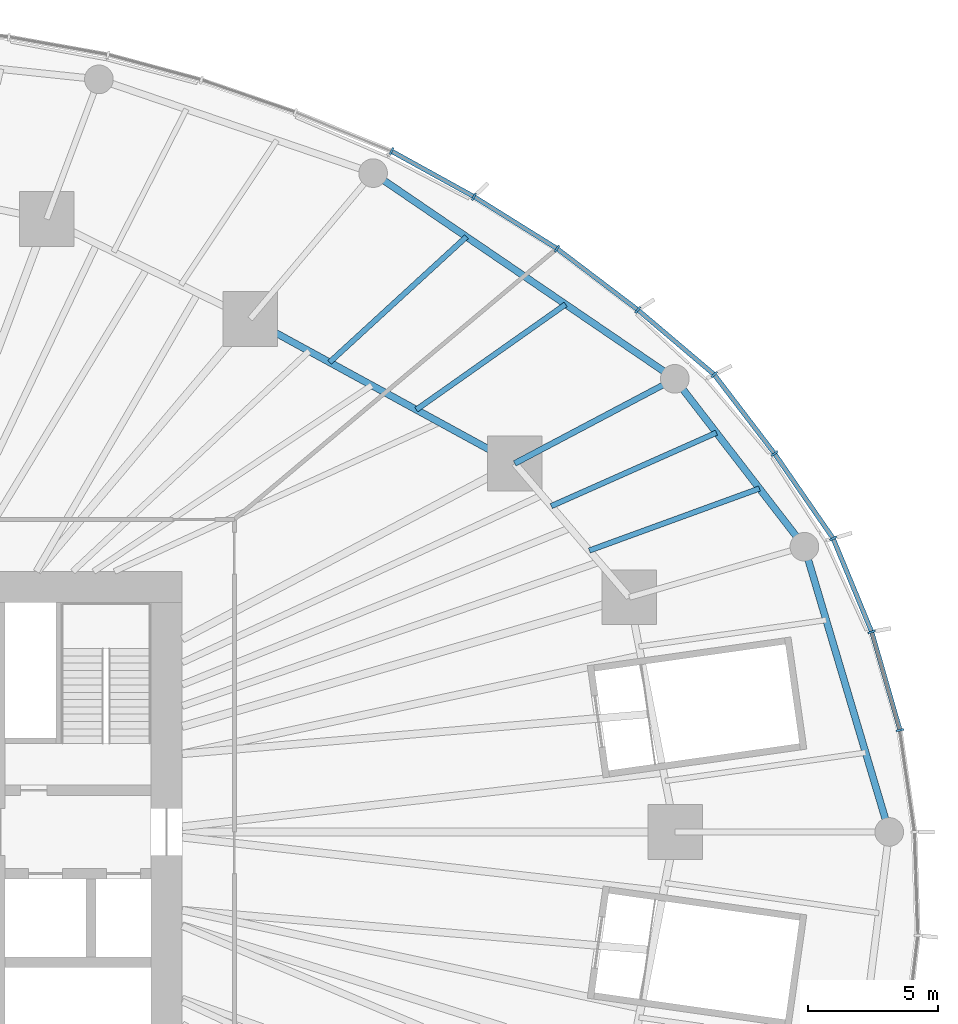
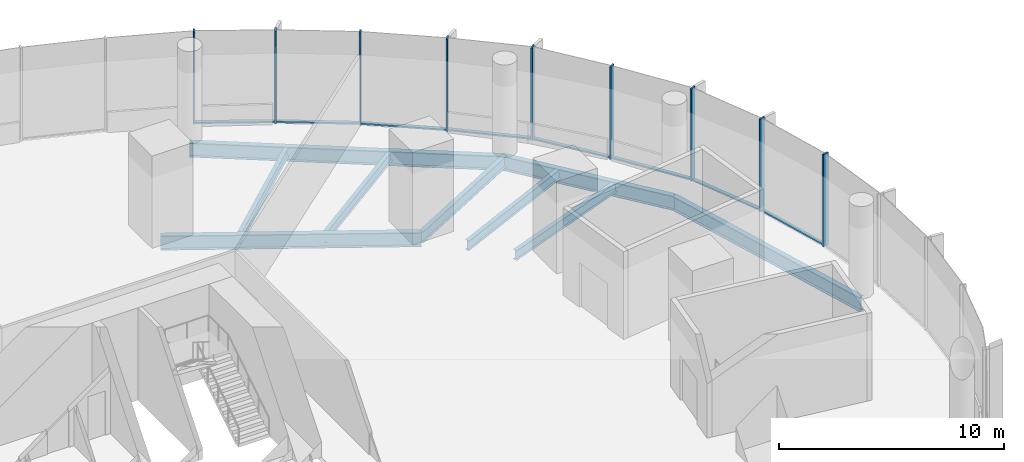
# One storey, part 9 of 27: 17 members, 9 beams, 4 elements without a shape of their own.
"""IFC4 building model written with IfcOpenShell, lengths in metres."""

from ifc_helpers import new_model, si_unit, direction, frame, origin, origin_2d, place, context, subcontext, project, spatial, rectangle, i_section, extrude, material, material_profile, profile_set, type_object, element, aggregate, save


model = new_model("IFC4")

# Units and contexts
model_context = context("Model", 3, precision=1e-05, world=origin(), true_north=direction((0.0, 1.0)))
body_context = subcontext(model_context, "Body", "Model", "MODEL_VIEW")
ifc_project = project(units=[si_unit("LENGTHUNIT", "METRE"), si_unit("AREAUNIT", "SQUARE_METRE"), si_unit("VOLUMEUNIT", "CUBIC_METRE"), si_unit("PLANEANGLEUNIT", "RADIAN"), si_unit("MASSUNIT", "GRAM", prefix="KILO")], contexts=[model_context])

# Site, building, storey
site_placement = place(None, origin())
site = spatial("IfcSite", under=ifc_project, at=site_placement, CompositionType="ELEMENT")
building_placement = place(site_placement, origin())
building = spatial("IfcBuilding", under=site, at=building_placement, Name="Ghaith Harvest Tower", CompositionType="ELEMENT")
storey_placement = place(building_placement, frame((0.0, 0.0, 10.0)))
storey = spatial("IfcBuildingStorey", under=building, at=storey_placement, Name="L02", CompositionType="ELEMENT", Elevation=10.0)

# Curtain wall, members
ifc_material_1 = material(Name="Black anodised aluminium and fritted glass", Category="aluminium")
curtain_wall_type = type_object("IfcCurtainWallType", Name="CW-P CURTAIN WALL", PredefinedType="NOTDEFINED", material=ifc_material_1)
curtain_wall_1_placement = place(storey_placement, origin())
curtain_wall_1 = element("IfcCurtainWall", 1, at=curtain_wall_1_placement, inside=storey, type_object=curtain_wall_type, Name="Curtain wall CW-P bay 01 L02", PredefinedType="NOTDEFINED")
ifc_material_2 = material(Name="Aluminium, black anodised", Category="aluminium")
ifc_material_profile_1 = material_profile(ifc_material_2, rectangle(XDim=0.080078125, YDim=0.300048828125, at=origin_2d()), Name="CW-P MULLION 80x300")
ifc_profile_set_1 = profile_set([ifc_material_profile_1], Name="Aluminium, black anodised")
member_type_1 = type_object("IfcMemberType", Name="CW-P MULLION 80x300", PredefinedType="MULLION", material=ifc_profile_set_1)
member_1_placement = place(storey_placement, frame((41.552490234375, 3.908447265625, 0.0), z_axis=(0.0, 0.0, 1.0), x_axis=(-0.210455398802, 0.977603460057, 0.0)))
member_1 = element("IfcMember", 2, at=member_1_placement, type_object=member_type_1, Name="CW-P mullion 2 bay 01 L02", PredefinedType="MULLION", context=body_context, shape_type="SweptSolid", body=[
    extrude(rectangle(XDim=0.080078125, YDim=0.300048828125, at=origin_2d()), origin(), (0.0, 0.0, 1.0), 5.0),
])
member_2_placement = place(storey_placement, frame((40.466552734375, 7.6806640625, 0.0), z_axis=(0.0, 0.0, 1.0), x_axis=(-0.329259082457, 0.944239618222, 0.0)))
member_2 = element("IfcMember", 3, at=member_2_placement, type_object=member_type_1, Name="CW-P mullion 3 bay 01 L02", PredefinedType="MULLION", context=body_context, shape_type="SweptSolid", body=[
    extrude(rectangle(XDim=0.080078125, YDim=0.300048828125, at=origin_2d()), origin(), (0.0, 0.0, 1.0), 5.0),
])

curtain_wall_2_placement = place(storey_placement, origin())
curtain_wall_2 = element("IfcCurtainWall", 4, at=curtain_wall_2_placement, inside=storey, type_object=curtain_wall_type, Name="Curtain wall CW-P bay 02 L02", PredefinedType="NOTDEFINED")
member_3_placement = place(storey_placement, frame((38.986328125, 11.267822265625, 0.0), z_axis=(0.0, 0.0, 1.0), x_axis=(-0.478503269772, 0.878085770764, 0.0)))
member_3 = element("IfcMember", 5, at=member_3_placement, type_object=member_type_1, Name="CW-P mullion 1 bay 02 L02", PredefinedType="MULLION", context=body_context, shape_type="SweptSolid", body=[
    extrude(rectangle(XDim=0.080078125, YDim=0.300048828125, at=origin_2d()), origin(), (0.0, 0.0, 1.0), 5.0),
])
member_4_placement = place(storey_placement, frame((36.7373046875, 14.52392578125, 0.0), z_axis=(0.0, 0.0, 1.0), x_axis=(-0.587258025755, 0.809399784523, 0.0)))
member_4 = element("IfcMember", 6, at=member_4_placement, type_object=member_type_1, Name="CW-P mullion 2 bay 02 L02", PredefinedType="MULLION", context=body_context, shape_type="SweptSolid", body=[
    extrude(rectangle(XDim=0.080078125, YDim=0.300048828125, at=origin_2d()), origin(), (0.0, 0.0, 1.0), 5.0),
])
member_5_placement = place(storey_placement, frame((34.423583984375, 17.556396484375, 0.0), z_axis=(0.0, 0.0, 1.0), x_axis=(-0.689143047622, 0.724625323815, 0.0)))
member_5 = element("IfcMember", 7, at=member_5_placement, type_object=member_type_1, Name="CW-P mullion 3 bay 02 L02", PredefinedType="MULLION", context=body_context, shape_type="SweptSolid", body=[
    extrude(rectangle(XDim=0.080078125, YDim=0.300048828125, at=origin_2d()), origin(), (0.0, 0.0, 1.0), 5.0),
])

curtain_wall_3_placement = place(storey_placement, origin())
curtain_wall_3 = element("IfcCurtainWall", 8, at=curtain_wall_3_placement, inside=storey, type_object=curtain_wall_type, Name="Curtain wall CW-P bay 03 L02", PredefinedType="NOTDEFINED")
member_6_placement = place(storey_placement, frame((31.490478515625, 20.040771484375, 0.0), z_axis=(0.0, 0.0, 1.0), x_axis=(-0.780317393323, 0.625383694765, 0.0)))
member_6 = element("IfcMember", 9, at=member_6_placement, type_object=member_type_1, Name="CW-P mullion 1 bay 03 L02", PredefinedType="MULLION", context=body_context, shape_type="SweptSolid", body=[
    extrude(rectangle(XDim=0.080078125, YDim=0.300048828125, at=origin_2d()), origin(), (0.0, 0.0, 1.0), 5.0),
])
member_7_placement = place(storey_placement, frame((28.3876953125, 22.39404296875, 0.0), z_axis=(0.0, 0.0, 1.0), x_axis=(-0.822844524846, 0.56826656415, 0.0)))
member_7 = element("IfcMember", 10, at=member_7_placement, type_object=member_type_1, Name="CW-P mullion 2 bay 03 L02", PredefinedType="MULLION", context=body_context, shape_type="SweptSolid", body=[
    extrude(rectangle(XDim=0.080078125, YDim=0.300048828125, at=origin_2d()), origin(), (0.0, 0.0, 1.0), 5.0),
])
member_8_placement = place(storey_placement, frame((25.197021484375, 24.38720703125, 0.0), z_axis=(0.0, 0.0, 1.0), x_axis=(-0.861800763039, 0.507246926877, 0.0)))
member_8 = element("IfcMember", 11, at=member_8_placement, type_object=member_type_1, Name="CW-P mullion 3 bay 03 L02", PredefinedType="MULLION", context=body_context, shape_type="SweptSolid", body=[
    extrude(rectangle(XDim=0.080078125, YDim=0.300048828125, at=origin_2d()), origin(), (0.0, 0.0, 1.0), 5.0),
])

# Curtain wall, member
curtain_wall_4_placement = place(storey_placement, origin())
curtain_wall_4 = element("IfcCurtainWall", 12, at=curtain_wall_4_placement, inside=storey, type_object=curtain_wall_type, Name="Curtain wall CW-P bay 04 L02", PredefinedType="NOTDEFINED")
member_9_placement = place(storey_placement, frame((22.03662109375, 26.13232421875, 0.0), z_axis=(0.0, 0.0, 1.0), x_axis=(-0.904206982894, 0.427094523597, 0.0)))
member_9 = element("IfcMember", 13, at=member_9_placement, type_object=member_type_1, Name="CW-P mullion 1 bay 04 L02", PredefinedType="MULLION", context=body_context, shape_type="SweptSolid", body=[
    extrude(rectangle(XDim=0.080078125, YDim=0.300048828125, at=origin_2d()), origin(), (0.0, 0.0, 1.0), 5.0),
])
aggregate(curtain_wall_4, [member_9])

# Member
ifc_material_3 = material(Name="Aluminium, black anodised", Category="aluminium")
ifc_material_profile_2 = material_profile(ifc_material_3, rectangle(XDim=0.179931640625, YDim=0.080078125, at=origin_2d()), Name="CW-P TRANSOM 180x80")
ifc_profile_set_2 = profile_set([ifc_material_profile_2], Name="Aluminium, black anodised")
member_type_2 = type_object("IfcMemberType", Name="CW-P TRANSOM 180x80", PredefinedType="USERDEFINED", material=ifc_profile_set_2)
member_10_placement = place(storey_placement, frame((41.54150390625, 3.947021484375, 0.0400390625), z_axis=(-0.276699590051, 0.960956469808, 0.0), x_axis=(-0.960956469808, -0.276699590051, 0.0)))
member_10 = element("IfcMember", 14, at=member_10_placement, type_object=member_type_2, Name="CW-P transom 2 bay 01 L02", ObjectType="TRANSOM", PredefinedType="USERDEFINED", context=body_context, shape_type="SweptSolid", body=[
    extrude(rectangle(XDim=0.179931640625, YDim=0.080078125, at=origin_2d()), origin(), (0.0, 0.0, 1.0), 3.84521484375),
])

member_11_placement = place(storey_placement, frame((40.451171875, 7.717529296875, 0.0400390625), z_axis=(-0.381370035558, 0.92442246618, 0.0), x_axis=(-0.92442246618, -0.381370035558, 0.0)))
member_11 = element("IfcMember", 15, at=member_11_placement, type_object=member_type_2, Name="CW-P transom 3 bay 01 L02", ObjectType="TRANSOM", PredefinedType="USERDEFINED", context=body_context, shape_type="SweptSolid", body=[
    extrude(rectangle(XDim=0.179931640625, YDim=0.080078125, at=origin_2d()), origin(), (0.0, 0.0, 1.0), 3.80078125),
])

aggregate(curtain_wall_1, [member_1, member_10, member_2, member_11])

member_12_placement = place(storey_placement, frame((38.963623046875, 11.30078125, 0.0400390625), z_axis=(-0.568312529767, 0.822812778528, 0.0), x_axis=(-0.822812778528, -0.568312529767, 0.0)))
member_12 = element("IfcMember", 16, at=member_12_placement, type_object=member_type_2, Name="CW-P transom 1 bay 02 L02", ObjectType="TRANSOM", PredefinedType="USERDEFINED", context=body_context, shape_type="SweptSolid", body=[
    extrude(rectangle(XDim=0.179931640625, YDim=0.080078125, at=origin_2d()), origin(), (0.0, 0.0, 1.0), 3.87744140625),
])

member_13_placement = place(storey_placement, frame((36.713134765625, 14.555908203125, 0.0400390625), z_axis=(-0.606590683295, 0.795014303607, 0.0), x_axis=(-0.795014303607, -0.606590683295, 0.0)))
member_13 = element("IfcMember", 17, at=member_13_placement, type_object=member_type_2, Name="CW-P transom 2 bay 02 L02", ObjectType="TRANSOM", PredefinedType="USERDEFINED", context=body_context, shape_type="SweptSolid", body=[
    extrude(rectangle(XDim=0.179931640625, YDim=0.080078125, at=origin_2d()), origin(), (0.0, 0.0, 1.0), 3.734130859375),
])

member_14_placement = place(storey_placement, frame((34.39306640625, 17.582275390625, 0.0400390625), z_axis=(-0.763039274182, 0.646352122342, 0.0), x_axis=(-0.646352122342, -0.763039274182, 0.0)))
member_14 = element("IfcMember", 18, at=member_14_placement, type_object=member_type_2, Name="CW-P transom 3 bay 02 L02", ObjectType="TRANSOM", PredefinedType="USERDEFINED", context=body_context, shape_type="SweptSolid", body=[
    extrude(rectangle(XDim=0.179931640625, YDim=0.080078125, at=origin_2d()), origin(), (0.0, 0.0, 1.0), 3.763916015625),
])

aggregate(curtain_wall_2, [member_3, member_12, member_4, member_13, member_5, member_14])

member_15_placement = place(storey_placement, frame((31.458740234375, 20.06494140625, 0.0400390625), z_axis=(-0.796785842158, 0.604261799005, 0.0), x_axis=(-0.604261799005, -0.796785842158, 0.0)))
member_15 = element("IfcMember", 19, at=member_15_placement, type_object=member_type_2, Name="CW-P transom 1 bay 03 L02", ObjectType="TRANSOM", PredefinedType="USERDEFINED", context=body_context, shape_type="SweptSolid", body=[
    extrude(rectangle(XDim=0.179931640625, YDim=0.080078125, at=origin_2d()), origin(), (0.0, 0.0, 1.0), 3.814453125),
])

member_16_placement = place(storey_placement, frame((28.353759765625, 22.415283203125, 0.0400390625), z_axis=(-0.848128656637, 0.529790318703, 0.0), x_axis=(-0.529790318703, -0.848128656637, 0.0)))
member_16 = element("IfcMember", 20, at=member_16_placement, type_object=member_type_2, Name="CW-P transom 2 bay 03 L02", ObjectType="TRANSOM", PredefinedType="USERDEFINED", context=body_context, shape_type="SweptSolid", body=[
    extrude(rectangle(XDim=0.179931640625, YDim=0.080078125, at=origin_2d()), origin(), (0.0, 0.0, 1.0), 3.681884765625),
])

member_17_placement = place(storey_placement, frame((25.162109375, 24.406494140625, 0.0400390625), z_axis=(-0.875439463287, 0.48332778331, 0.0), x_axis=(-0.48332778331, -0.875439463287, 0.0)))
member_17 = element("IfcMember", 21, at=member_17_placement, type_object=member_type_2, Name="CW-P transom 3 bay 03 L02", ObjectType="TRANSOM", PredefinedType="USERDEFINED", context=body_context, shape_type="SweptSolid", body=[
    extrude(rectangle(XDim=0.179931640625, YDim=0.080078125, at=origin_2d()), origin(), (0.0, 0.0, 1.0), 3.5302734375),
])

aggregate(curtain_wall_3, [member_6, member_15, member_7, member_16, member_8, member_17])

# Beams
ifc_material_4 = material(Name="Steel ASTM A992 Grade 50", Category="steel")
ifc_material_profile_3 = material_profile(ifc_material_4, i_section(OverallWidth=0.26806640625, OverallDepth=0.77001953125, WebThickness=0.015625, FlangeThickness=0.025390625, at=origin_2d()), Name="W760X196")
ifc_profile_set_3 = profile_set([ifc_material_profile_3], Name="Steel ASTM A992 Grade 50")
beam_type_1 = type_object("IfcBeamType", Name="E760-196 W760X196", PredefinedType="SPANDREL", material=ifc_profile_set_3)
beam_1_placement = place(storey_placement, frame((26.763916015625, 14.14697265625, -0.635009765625), z_axis=(-0.877588218279, 0.479415184509, 0.0), x_axis=(-0.479415184509, -0.877588218279, 0.0)))
element("IfcBeam", 22, at=beam_1_placement, inside=storey, type_object=beam_type_1, Name="Edge beam E03 L02", PredefinedType="SPANDREL", context=body_context, shape_type="SweptSolid", body=[
    extrude(i_section(OverallWidth=0.26806640625, OverallDepth=0.77001953125, WebThickness=0.015625, FlangeThickness=0.025390625, at=origin_2d()), origin(), (0.0, 0.0, 1.0), 11.57275390625),
])
beam_2_placement = place(storey_placement, frame((41.14111328125, 0.0, -0.635009765625), z_axis=(-0.285129481523, 0.958489008161, 0.0), x_axis=(-0.958489008161, -0.285129481523, 0.0)))
element("IfcBeam", 23, at=beam_2_placement, inside=storey, type_object=beam_type_1, Name="Podium edge beam PE01 L02", PredefinedType="SPANDREL", context=body_context, shape_type="SweptSolid", body=[
    extrude(i_section(OverallWidth=0.26806640625, OverallDepth=0.77001953125, WebThickness=0.015625, FlangeThickness=0.025390625, at=origin_2d()), origin(), (0.0, 0.0, 1.0), 11.423095703125),
])
beam_3_placement = place(storey_placement, frame((37.884033203125, 10.948974609375, -0.635009765625), z_axis=(-0.610915700326, 0.791695653073, 0.0), x_axis=(-0.791695653073, -0.610915700326, 0.0)))
element("IfcBeam", 24, at=beam_3_placement, inside=storey, type_object=beam_type_1, Name="Podium edge beam PE02 L02", PredefinedType="SPANDREL", context=body_context, shape_type="SweptSolid", body=[
    extrude(i_section(OverallWidth=0.26806640625, OverallDepth=0.77001953125, WebThickness=0.015625, FlangeThickness=0.025390625, at=origin_2d()), origin(), (0.0, 0.0, 1.0), 8.14208984375),
])
beam_4_placement = place(storey_placement, frame((32.909912109375, 17.39501953125, -0.635009765625), z_axis=(-0.826222921188, 0.563343309628, 0.0), x_axis=(-0.563343309628, -0.826222921188, 0.0)))
element("IfcBeam", 25, at=beam_4_placement, inside=storey, type_object=beam_type_1, Name="Podium edge beam PE03 L02", PredefinedType="SPANDREL", context=body_context, shape_type="SweptSolid", body=[
    extrude(i_section(OverallWidth=0.26806640625, OverallDepth=0.77001953125, WebThickness=0.015625, FlangeThickness=0.025390625, at=origin_2d()), origin(), (0.0, 0.0, 1.0), 14.01806640625),
])
ifc_material_5 = material(Name="Steel ASTM A992 Grade 50", Category="steel")
ifc_material_profile_4 = material_profile(ifc_material_5, i_section(OverallWidth=0.22802734375, OverallDepth=0.60302734375, WebThickness=0.010498046875, FlangeThickness=0.014892578125, at=origin_2d()), Name="W610X101")
ifc_profile_set_4 = profile_set([ifc_material_profile_4], Name="Steel ASTM A992 Grade 50")
beam_type_2 = type_object("IfcBeamType", Name="G610-101 W610X101", PredefinedType="BEAM", material=ifc_profile_set_4)
beam_5_placement = place(storey_placement, frame((26.763916015625, 14.14697265625, -0.551513671875), z_axis=(0.884127689029, 0.467245363265, 0.0), x_axis=(-0.467245363265, 0.884127689029, 0.0)))
element("IfcBeam", 26, at=beam_5_placement, inside=storey, type_object=beam_type_2, Name="Podium radial beam PR03 L02", PredefinedType="BEAM", context=body_context, shape_type="SweptSolid", body=[
    extrude(i_section(OverallWidth=0.22802734375, OverallDepth=0.60302734375, WebThickness=0.010498046875, FlangeThickness=0.014892578125, at=origin_2d()), origin(), (0.0, 0.0, 1.0), 6.951416015625),
])
ifc_material_6 = material(Name="Steel ASTM A992 Grade 50", Category="steel")
ifc_material_profile_5 = material_profile(ifc_material_6, i_section(OverallWidth=0.208984375, OverallDepth=0.532958984375, WebThickness=0.01025390625, FlangeThickness=0.015625, at=origin_2d()), Name="W530X92")
ifc_profile_set_5 = profile_set([ifc_material_profile_5], Name="Steel ASTM A992 Grade 50")
beam_type_3 = type_object("IfcBeamType", Name="J530-92 W530X92", PredefinedType="JOIST", material=ifc_profile_set_5)
beam_6_placement = place(storey_placement, frame((29.628173828125, 10.803466796875, -0.5166015625), z_axis=(0.939491579634, 0.342571995056, 0.0), x_axis=(-0.342571995056, 0.939491579634, 0.0)))
element("IfcBeam", 27, at=beam_6_placement, inside=storey, type_object=beam_type_3, Name="Podium joist PJ02.1 L02", PredefinedType="JOIST", context=body_context, shape_type="SweptSolid", body=[
    extrude(i_section(OverallWidth=0.208984375, OverallDepth=0.532958984375, WebThickness=0.01025390625, FlangeThickness=0.015625, at=origin_2d()), origin(), (0.0, 0.0, 1.0), 6.951416015625),
])
beam_7_placement = place(storey_placement, frame((28.1669921875, 12.50927734375, -0.5166015625), z_axis=(0.913913106529, 0.405909883735, 0.0), x_axis=(-0.405909883735, 0.913913106529, 0.0)))
element("IfcBeam", 28, at=beam_7_placement, inside=storey, type_object=beam_type_3, Name="Podium joist PJ02.2 L02", PredefinedType="JOIST", context=body_context, shape_type="SweptSolid", body=[
    extrude(i_section(OverallWidth=0.208984375, OverallDepth=0.532958984375, WebThickness=0.01025390625, FlangeThickness=0.015625, at=origin_2d()), origin(), (0.0, 0.0, 1.0), 6.937255859375),
])
beam_8_placement = place(storey_placement, frame((22.986083984375, 16.210693359375, -0.5166015625), z_axis=(0.817208951885, 0.576341503762, 0.0), x_axis=(-0.576341503762, 0.817208951885, 0.0)))
element("IfcBeam", 29, at=beam_8_placement, inside=storey, type_object=beam_type_3, Name="Podium joist PJ03.1 L02", PredefinedType="JOIST", context=body_context, shape_type="SweptSolid", body=[
    extrude(i_section(OverallWidth=0.208984375, OverallDepth=0.532958984375, WebThickness=0.01025390625, FlangeThickness=0.015625, at=origin_2d()), origin(), (0.0, 0.0, 1.0), 7.013916015625),
])
beam_9_placement = place(storey_placement, frame((19.6572265625, 18.029296875, -0.5166015625), z_axis=(0.736957960195, 0.67593858072, 0.0), x_axis=(-0.67593858072, 0.736957960195, 0.0)))
element("IfcBeam", 30, at=beam_9_placement, inside=storey, type_object=beam_type_3, Name="Podium joist PJ03.2 L02", PredefinedType="JOIST", context=body_context, shape_type="SweptSolid", body=[
    extrude(i_section(OverallWidth=0.208984375, OverallDepth=0.532958984375, WebThickness=0.01025390625, FlangeThickness=0.015625, at=origin_2d()), origin(), (0.0, 0.0, 1.0), 7.1298828125),
])

save(model, "model.ifc")
